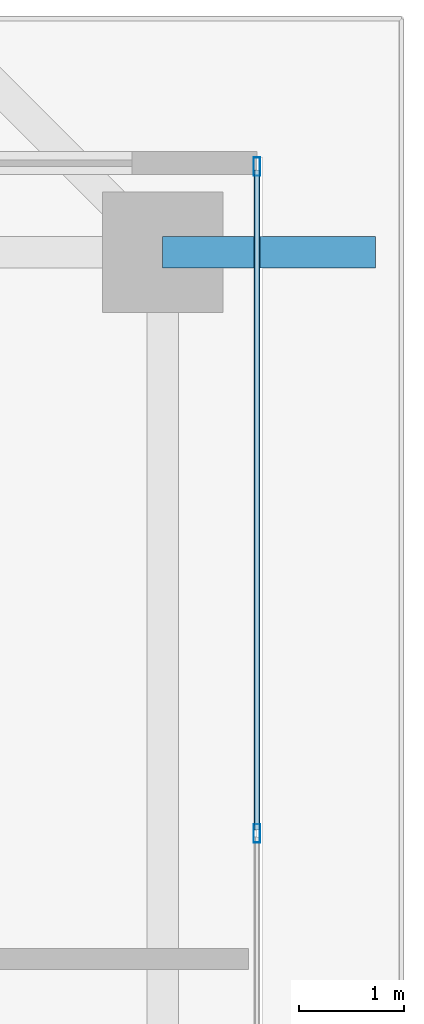
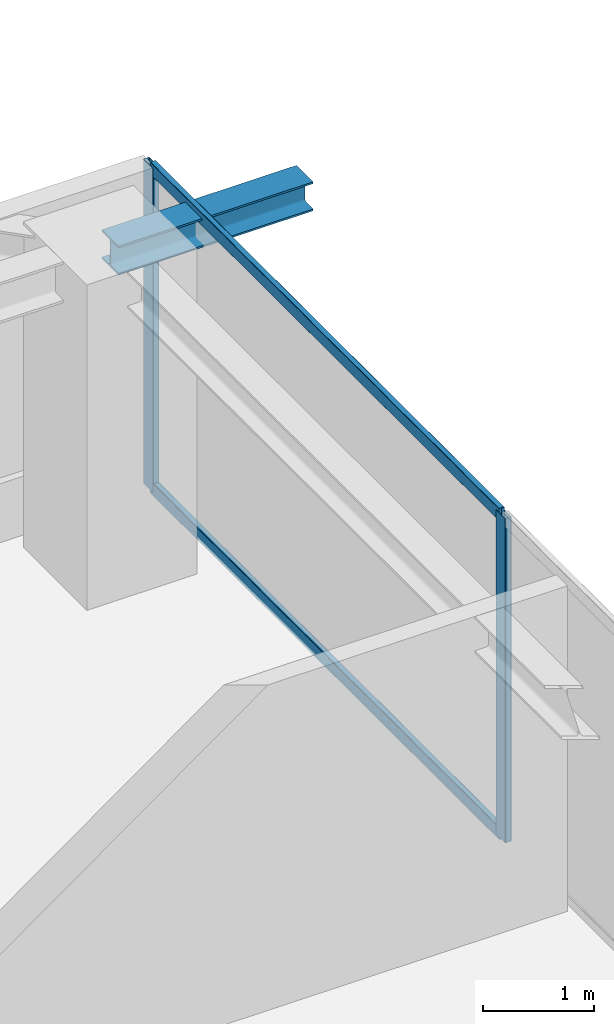
# One storey, part 24 of 40: 4 members, 1 beam, 1 element without a shape of its own.
"""IFC4 building model written with IfcOpenShell, lengths in metres."""

import ifcopenshell
import ifcopenshell.guid

model = None  # the IFC model being written
_history = None  # IfcOwnerHistory: only IFC2X3 demands one
_inside = {}  # id of a spatial element -> (the spatial element, [elements in it])
_under = {}  # id of a project, library or spatial element -> (it, [spatial elements below it])
_declared = {}  # id of a project -> (the project, [libraries it declares])
_typed = {}  # id of a type object -> (the type object, [elements of that type])
_made_of = {}  # id of a material, layer set ... -> (it, [elements and type objects made of it])


def new_model(schema):
    """Start an empty IFC model of exactly this schema.

    Asked for "IFC4X3", IfcOpenShell would pick the latest addendum, in which some entities
    have other attributes; the version numbers below select the first issue.
    IFC2X3 requires an IfcOwnerHistory on every rooted entity: one is made here for all.
    """
    global model, _history
    if schema == "IFC4X3":
        model = ifcopenshell.file(schema_version=(4, 3, 0, 0))
    else:
        model = ifcopenshell.file(schema=schema)
    _inside.clear()
    _under.clear()
    _declared.clear()
    _typed.clear()
    _made_of.clear()
    _history = None
    if model.schema == "IFC2X3":
        org = make("IfcOrganization", Name="unknown")
        user = make(
            "IfcPersonAndOrganization",
            ThePerson=make("IfcPerson", FamilyName="unknown"),
            TheOrganization=org,
        )
        app = make(
            "IfcApplication",
            ApplicationDeveloper=org,
            Version="unknown",
            ApplicationFullName="unknown",
            ApplicationIdentifier="unknown",
        )
        _history = make(
            "IfcOwnerHistory",
            OwningUser=user,
            OwningApplication=app,
            ChangeAction="ADDED",
            CreationDate=0,
        )
    return model


def make(cls, **values):
    """One entity of the class cls with the attributes given. An attribute that is None is left unset."""
    return model.create_entity(
        cls, **{name: value for name, value in values.items() if value is not None}
    )


def rooted(cls, **values):
    """An entity with a GlobalId (a new one), such as an element, a storey or a relation."""
    return make(cls, GlobalId=ifcopenshell.guid.new(), OwnerHistory=_history, **values)


def si_unit(unit_type, name, prefix=None):
    """IfcSIUnit, for example si_unit("LENGTHUNIT", "METRE", prefix="MILLI")."""
    return make("IfcSIUnit", UnitType=unit_type, Prefix=prefix, Name=name)


def assignment(units):
    """IfcUnitAssignment: the units of a project."""
    return None if units is None else make("IfcUnitAssignment", Units=units)


def point(xyz):
    """IfcCartesianPoint."""
    return None if xyz is None else make("IfcCartesianPoint", Coordinates=xyz)


def direction(xyz):
    """IfcDirection."""
    return None if xyz is None else make("IfcDirection", DirectionRatios=xyz)


def frame(location, z_axis=None, x_axis=None):
    """IfcAxis2Placement3D, a coordinate frame: its origin and axes. An axis left out is left unset."""
    return make(
        "IfcAxis2Placement3D",
        Location=point(location),
        Axis=direction(z_axis),
        RefDirection=direction(x_axis),
    )


def frame_2d(location, x_axis=None):
    """IfcAxis2Placement2D, a coordinate frame in the plane: its origin and x axis."""
    return make(
        "IfcAxis2Placement2D", Location=point(location), RefDirection=direction(x_axis)
    )


def origin():
    """The frame at (0, 0, 0) with its axes left unset."""
    return frame((0.0, 0.0, 0.0))


def origin_2d():
    """The frame at (0, 0) in the plane with its x axis left unset."""
    return frame_2d((0.0, 0.0))


def place(relative_to, where):
    """IfcLocalPlacement: puts the frame where relative to a parent placement (None: the world)."""
    return make(
        "IfcLocalPlacement", PlacementRelTo=relative_to, RelativePlacement=where
    )


def context(
    kind, dimensions, precision=None, world=None, true_north=None, identifier=None
):
    """IfcGeometricRepresentationContext, for example the 3D "Model" context."""
    return make(
        "IfcGeometricRepresentationContext",
        ContextIdentifier=identifier,
        ContextType=kind,
        CoordinateSpaceDimension=dimensions,
        Precision=precision,
        WorldCoordinateSystem=world,
        TrueNorth=true_north,
    )


def subcontext(parent, identifier, kind, view, scale=None):
    """IfcGeometricRepresentationSubContext, for example "Body" below "Model"."""
    return make(
        "IfcGeometricRepresentationSubContext",
        ContextIdentifier=identifier,
        ContextType=kind,
        ParentContext=parent,
        TargetScale=scale,
        TargetView=view,
    )


def project(units=None, contexts=None):
    """IfcProject with its units and contexts."""
    return rooted(
        "IfcProject",
        Name="project",
        RepresentationContexts=contexts,
        UnitsInContext=assignment(units),
    )


def spatial(cls, under=None, at=None, **own):
    """A site, building, storey or space (cls), placed at a placement, below another one or the project."""
    s = rooted(cls, ObjectPlacement=at, **own)
    if under is not None:
        _under.setdefault(under.id(), (under, []))[1].append(s)
    return s


def profile(cls, at=None, kind="AREA", **sizes):
    """A parametric profile (cls). Its sizes go by their IFC names, for example OverallWidth=200.0."""
    return make(cls, ProfileType=kind, Position=at, **sizes)


def hollow_rectangle(**sizes):
    """IfcRectangleHollowProfileDef."""
    return profile("IfcRectangleHollowProfileDef", **sizes)


def i_section(**sizes):
    """IfcIShapeProfileDef."""
    return profile("IfcIShapeProfileDef", **sizes)


def extrude(swept, where, along, depth):
    """IfcExtrudedAreaSolid: the profile swept, set in the frame where, extruded along a direction by depth."""
    return make(
        "IfcExtrudedAreaSolid",
        SweptArea=swept,
        Position=where,
        ExtrudedDirection=direction(along),
        Depth=depth,
    )


def shape(context_of_items, identifier, shape_type, items):
    """IfcShapeRepresentation: the items that make up one representation, for example the "Body"."""
    return make(
        "IfcShapeRepresentation",
        ContextOfItems=context_of_items,
        RepresentationIdentifier=identifier,
        RepresentationType=shape_type,
        Items=items,
    )


def source(mapping_origin, context_of_items, identifier, shape_type, items):
    """IfcRepresentationMap: a shape defined once, which mapped items show again and again."""
    return make(
        "IfcRepresentationMap",
        MappingOrigin=mapping_origin,
        MappedRepresentation=shape(context_of_items, identifier, shape_type, items),
    )


def transform(
    local_origin,
    x_axis=None,
    y_axis=None,
    z_axis=None,
    scale=None,
    scale2=None,
    scale3=None,
    uniform=True,
):
    """IfcCartesianTransformationOperator3D, or its non-uniform kind. x_axis, y_axis, z_axis: its Axis1, 2, 3."""
    if uniform:
        return make(
            "IfcCartesianTransformationOperator3D",
            Axis1=direction(x_axis),
            Axis2=direction(y_axis),
            LocalOrigin=point(local_origin),
            Scale=scale,
            Axis3=direction(z_axis),
        )
    return make(
        "IfcCartesianTransformationOperator3DnonUniform",
        Axis1=direction(x_axis),
        Axis2=direction(y_axis),
        LocalOrigin=point(local_origin),
        Scale=scale,
        Axis3=direction(z_axis),
        Scale2=scale2,
        Scale3=scale3,
    )


def mapped(mapping_source, mapping_target):
    """IfcMappedItem: shows the shape of a source again, moved by a transform."""
    return make(
        "IfcMappedItem", MappingSource=mapping_source, MappingTarget=mapping_target
    )


def material(Name=None, Category=None):
    """IfcMaterial."""
    return make("IfcMaterial", Name=Name, Category=Category)


def layer(
    of_material, thickness, ventilated=None, Name=None, Category=None, Priority=None
):
    """IfcMaterialLayer: one layer of a wall or slab, of a material (None: an air gap)."""
    return make(
        "IfcMaterialLayer",
        Material=of_material,
        LayerThickness=thickness,
        IsVentilated=ventilated,
        Name=Name,
        Category=Category,
        Priority=Priority,
    )


def layer_set(layers, Name=None):
    """IfcMaterialLayerSet."""
    return make("IfcMaterialLayerSet", MaterialLayers=layers, LayerSetName=Name)


def material_profile(
    of_material, cross_section, Name=None, Category=None, Priority=None
):
    """IfcMaterialProfile: a cross section and its material."""
    return make(
        "IfcMaterialProfile",
        Name=Name,
        Material=of_material,
        Profile=cross_section,
        Priority=Priority,
        Category=Category,
    )


def profile_set(profiles, Name=None, composite=None):
    """IfcMaterialProfileSet."""
    return make(
        "IfcMaterialProfileSet",
        Name=Name,
        MaterialProfiles=profiles,
        CompositeProfile=composite,
    )


def made_of(thing, what):
    """Note that an element or type object is made of a material, layer set ...; save() writes the relation."""
    if what is not None:
        _made_of.setdefault(what.id(), (what, []))[1].append(thing)
    return thing


def type_object(cls, material=None, **own):
    """A type object (cls), such as IfcWallType, which elements share."""
    return made_of(rooted(cls, **own), material)


def element(
    cls,
    number,
    at=None,
    inside=None,
    cuts=None,
    type_object=None,
    material=None,
    context=None,
    identifier="Body",
    shape_type=None,
    held_by="IfcProductDefinitionShape",
    body=None,
    shapes=None,
    **own,
):
    """One element of the class cls, such as IfcWall. Its Tag is "e" and its number.

    at: its placement. inside: the storey or other place that contains it. cuts: it is an
    opening in that element (IfcRelVoidsElement). A single representation is given by context,
    identifier, shape_type and body (its items); several are given by shapes. held_by: the class
    of the entity that holds the representations. save() writes the other relations.
    """
    e = rooted(cls, Tag="e%d" % number, ObjectPlacement=at, **own)
    if body is not None:
        shapes = [shape(context, identifier, shape_type, body)]
    if shapes is not None:
        e.Representation = make(held_by, Representations=shapes)
    if inside is not None:
        _inside.setdefault(inside.id(), (inside, []))[1].append(e)
    if cuts is not None:
        rooted(
            "IfcRelVoidsElement", RelatingBuildingElement=cuts, RelatedOpeningElement=e
        )
    if type_object is not None:
        _typed.setdefault(type_object.id(), (type_object, []))[1].append(e)
    return made_of(e, material)


def aggregate(whole, parts):
    """IfcRelAggregates: a whole, such as a stair, and the parts it consists of."""
    return rooted("IfcRelAggregates", RelatingObject=whole, RelatedObjects=parts)


def save(model, path):
    """Write the relations noted so far, then the file.

    IfcRelAggregates (storeys below a building ...), IfcRelContainedInSpatialStructure (elements
    in a storey), IfcRelDefinesByType, IfcRelAssociatesMaterial and IfcRelDeclares: one each for
    every whole, place, type object, material and project.
    """
    for whole, parts in _under.values():
        aggregate(whole, parts)
    for where, things in _inside.values():
        rooted(
            "IfcRelContainedInSpatialStructure",
            RelatedElements=things,
            RelatingStructure=where,
        )
    for kind, things in _typed.values():
        rooted("IfcRelDefinesByType", RelatedObjects=things, RelatingType=kind)
    for what, things in _made_of.values():
        rooted("IfcRelAssociatesMaterial", RelatedObjects=things, RelatingMaterial=what)
    for by, libraries in _declared.values():
        rooted("IfcRelDeclares", RelatingContext=by, RelatedDefinitions=libraries)
    model.write(path)


model = new_model("IFC4")

# Units and contexts
model_context = context("Model", 3, precision=1e-05, world=origin(), true_north=direction((0.0, 1.0)))
body_context = subcontext(model_context, "Body", "Model", "MODEL_VIEW")
ifc_project = project(units=[si_unit("LENGTHUNIT", "METRE"), si_unit("AREAUNIT", "SQUARE_METRE"), si_unit("VOLUMEUNIT", "CUBIC_METRE"), si_unit("PLANEANGLEUNIT", "RADIAN"), si_unit("MASSUNIT", "GRAM", prefix="KILO")], contexts=[model_context])

# Site, building, storey
site_placement = place(None, origin())
site = spatial("IfcSite", under=ifc_project, at=site_placement, CompositionType="ELEMENT")
building_placement = place(site_placement, origin())
building = spatial("IfcBuilding", under=site, at=building_placement, Name="Serunith Strait Residences", CompositionType="ELEMENT")
storey_placement = place(building_placement, frame((0.0, 0.0, 252.800048828125)))
storey = spatial("IfcBuildingStorey", under=building, at=storey_placement, Name="L63", CompositionType="ELEMENT", Elevation=252.800048828125)

# Beam
ifc_material_1 = material(Name="Steel S355J2", Category="steel")
ifc_material_profile_1 = material_profile(ifc_material_1, i_section(OverallWidth=0.300048828125, OverallDepth=0.320068359375, WebThickness=0.011474609375, FlangeThickness=0.0205078125, FilletRadius=0.027099609375, at=origin_2d()), Name="HEB 320")
ifc_profile_set_1 = profile_set([ifc_material_profile_1], Name="Steel S355J2")
beam_type = type_object("IfcBeamType", Name="BM-HEB320", PredefinedType="BEAM", material=ifc_profile_set_1)
shared_shape_1 = source(origin(), body_context, "Body", "SweptSolid", [
    extrude(i_section(OverallWidth=0.300048828125, OverallDepth=0.320068359375, WebThickness=0.011474609375, FlangeThickness=0.0205078125, FilletRadius=0.027099609375, at=origin_2d()), origin(), (0.0, 0.0, 1.0), 2.030029296875),
])
beam_placement = place(storey_placement, frame((56.5, 40.35009765625, 3.39697265625), z_axis=(1.0, 0.0, 0.0), x_axis=(0.0, 1.0, 0.0)))
element("IfcBeam", 1, at=beam_placement, inside=storey, type_object=beam_type, Name="L64 Cantilevered Balcony Rib TC-E4", PredefinedType="BEAM", context=body_context, shape_type="MappedRepresentation", body=[
    mapped(shared_shape_1, transform((0.0, 0.0, 0.0), scale=1.0)),
])

# Curtain wall, members
ifc_material_2 = material(Name="Pale-Champagne Anodised Aluminium", Category="aluminium")
ifc_layer = layer(ifc_material_2, 0.199951171875, Name="Pale-Champagne Anodised Aluminium")
ifc_layer_set = layer_set([ifc_layer], Name="Pale-Champagne Anodised Aluminium")
curtain_wall_type = type_object("IfcCurtainWallType", Name="CW-SYS4", PredefinedType="NOTDEFINED", material=ifc_layer_set)
curtain_wall_placement = place(storey_placement, origin())
curtain_wall = element("IfcCurtainWall", 2, at=curtain_wall_placement, inside=storey, type_object=curtain_wall_type, Name="L63 E Unitised Fritted Curtain Wall", PredefinedType="NOTDEFINED")
ifc_material_profile_2 = material_profile(ifc_material_2, hollow_rectangle(XDim=0.06494140625, YDim=0.179931640625, WallThickness=0.00341796875, InnerFilletRadius=0.00537109375, OuterFilletRadius=0.0087890625, at=origin_2d()), Name="ALU 180x65x3.5")
ifc_profile_set_2 = profile_set([ifc_material_profile_2], Name="Pale-Champagne Anodised Aluminium")
member_type_1 = type_object("IfcMemberType", Name="CW-SYS4-MULL", PredefinedType="MULLION", material=ifc_profile_set_2)
shared_shape_2 = source(origin(), body_context, "Body", "SweptSolid", [
    extrude(hollow_rectangle(XDim=0.06494140625, YDim=0.179931640625, WallThickness=0.00341796875, InnerFilletRadius=0.00537109375, OuterFilletRadius=0.0087890625, at=origin_2d()), origin(), (0.0, 0.0, 1.0), 3.574951171875),
])
member_1_placement = place(storey_placement, frame((57.39990234375, 34.800048828125, 0.0), z_axis=(0.0, 0.0, 1.0), x_axis=(-1.0, 0.0, 0.0)))
member_1 = element("IfcMember", 3, at=member_1_placement, type_object=member_type_1, Name="CW-4 mullion 5", PredefinedType="MULLION", context=body_context, shape_type="MappedRepresentation", body=[
    mapped(shared_shape_2, transform((0.0, 0.0, 0.0), scale=1.0)),
])
member_2_placement = place(storey_placement, frame((57.39990234375, 41.16748046875, 0.0), z_axis=(0.0, 0.0, 1.0), x_axis=(-1.0, 0.0, 0.0)))
member_2 = element("IfcMember", 4, at=member_2_placement, type_object=member_type_1, Name="CW-4 mullion 6", PredefinedType="MULLION", context=body_context, shape_type="MappedRepresentation", body=[
    mapped(shared_shape_2, transform((0.0, 0.0, 0.0), scale=1.0)),
])
ifc_material_profile_3 = material_profile(ifc_material_2, hollow_rectangle(XDim=0.06005859375, YDim=0.139892578125, WallThickness=0.00341796875, InnerFilletRadius=0.00537109375, OuterFilletRadius=0.0087890625, at=origin_2d()), Name="ALU 140x60x3.5")
ifc_profile_set_3 = profile_set([ifc_material_profile_3], Name="Pale-Champagne Anodised Aluminium")
member_type_2 = type_object("IfcMemberType", Name="CW-SYS4-TRAN", PredefinedType="USERDEFINED", material=ifc_profile_set_3)
shared_shape_3 = source(origin(), body_context, "Body", "SweptSolid", [
    extrude(hollow_rectangle(XDim=0.06005859375, YDim=0.139892578125, WallThickness=0.00341796875, InnerFilletRadius=0.00537109375, OuterFilletRadius=0.0087890625, at=origin_2d()), origin(), (0.0, 0.0, 1.0), 6.302490234375),
])
member_3_placement = place(storey_placement, frame((57.39990234375, 34.83251953125, 0.030029296875), z_axis=(0.0, 1.0, 0.0), x_axis=(-1.0, 0.0, 0.0)))
member_3 = element("IfcMember", 5, at=member_3_placement, type_object=member_type_2, Name="CW-4 transom 5.1", ObjectType="TRANSOM", PredefinedType="USERDEFINED", context=body_context, shape_type="MappedRepresentation", body=[
    mapped(shared_shape_3, transform((0.0, 0.0, 0.0), scale=1.0)),
])
member_4_placement = place(storey_placement, frame((57.39990234375, 34.83251953125, 3.544921875), z_axis=(0.0, 1.0, 0.0), x_axis=(-1.0, 0.0, 0.0)))
member_4 = element("IfcMember", 6, at=member_4_placement, type_object=member_type_2, Name="CW-4 transom 5.2", ObjectType="TRANSOM", PredefinedType="USERDEFINED", context=body_context, shape_type="MappedRepresentation", body=[
    mapped(shared_shape_3, transform((0.0, 0.0, 0.0), scale=1.0)),
])
aggregate(curtain_wall, [member_1, member_2, member_3, member_4])

save(model, "model.ifc")
